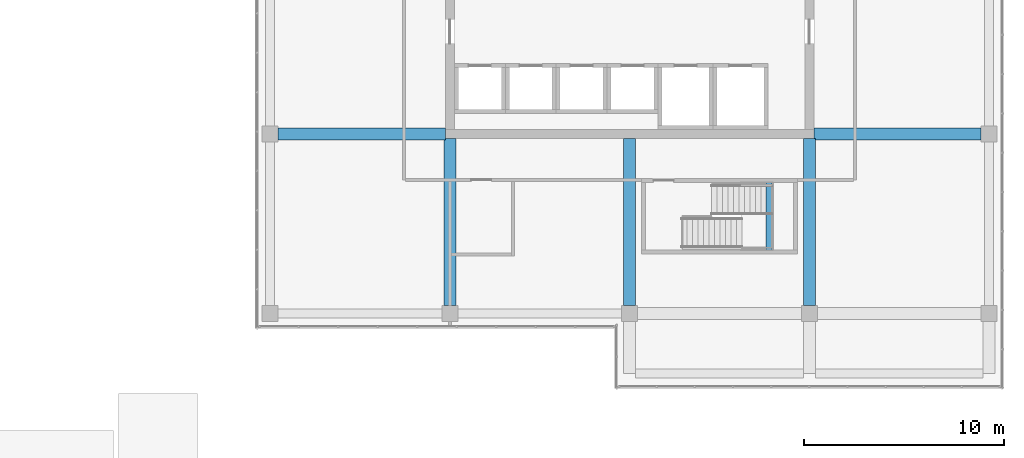
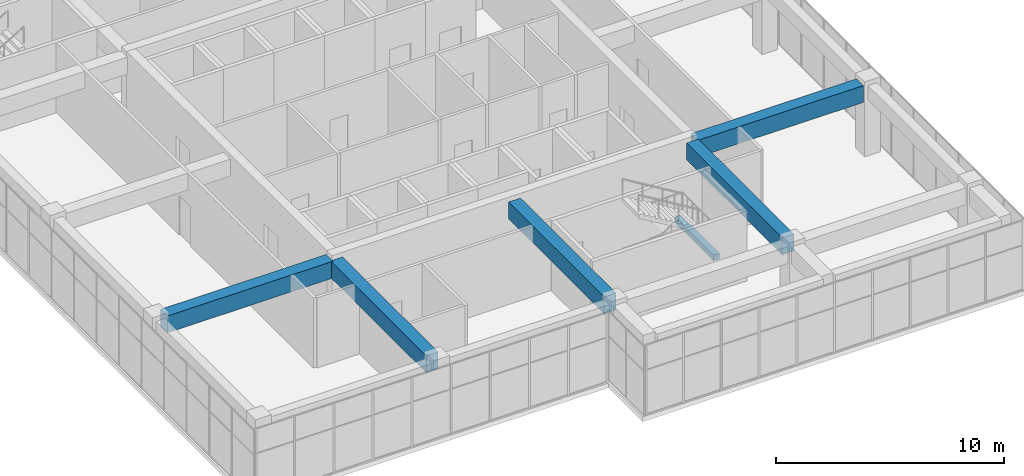
# One storey, part 26 of 55: 6 beams.
"""IFC4 building model written with IfcOpenShell, lengths in metres."""

from ifc_helpers import new_model, si_unit, direction, frame, origin, origin_2d, place, context, subcontext, project, spatial, rectangle, extrude, material, material_profile, profile_set, type_object, element, save


model = new_model("IFC4")

# Units and contexts
model_context = context("Model", 3, precision=1e-05, world=origin(), true_north=direction((0.0, 1.0)))
body_context = subcontext(model_context, "Body", "Model", "MODEL_VIEW")
ifc_project = project(units=[si_unit("LENGTHUNIT", "METRE"), si_unit("AREAUNIT", "SQUARE_METRE"), si_unit("VOLUMEUNIT", "CUBIC_METRE"), si_unit("PLANEANGLEUNIT", "RADIAN"), si_unit("MASSUNIT", "GRAM", prefix="KILO")], contexts=[model_context])

# Site, building, storey
site_placement = place(None, origin())
site = spatial("IfcSite", under=ifc_project, at=site_placement, CompositionType="ELEMENT")
building_placement = place(site_placement, origin())
building = spatial("IfcBuilding", under=site, at=building_placement, Name="Tuart Plaza Theatre", CompositionType="ELEMENT")
storey_placement = place(building_placement, frame((0.0, 0.0, 21.5)))
storey = spatial("IfcBuildingStorey", under=building, at=storey_placement, Name="L05", CompositionType="ELEMENT", Elevation=21.5)

# Beams
ifc_material_1 = material(Name="Concrete N40 (40 MPa)", Category="concrete")
ifc_material_profile_1 = material_profile(ifc_material_1, rectangle(XDim=0.300048828125, YDim=0.300048828125, at=origin_2d()), Name="BEAM 300x300 Concrete N40 (40 MPa)")
ifc_profile_set_1 = profile_set([ifc_material_profile_1], Name="Concrete N40 (40 MPa)")
beam_type_1 = type_object("IfcBeamType", Name="BEAM 300x300 Concrete N40 (40 MPa)", PredefinedType="BEAM", material=ifc_profile_set_1)
beam_placement = place(storey_placement, frame((138.97998046875, 59.175048828125, 1.64990234375), z_axis=(0.0, 1.0, 0.0), x_axis=(-1.0, 0.0, 0.0)))
element("IfcBeam", 1, at=beam_placement, inside=storey, type_object=beam_type_1, Name="RB501", PredefinedType="BEAM", context=body_context, shape_type="SweptSolid", body=[
    extrude(rectangle(XDim=0.300048828125, YDim=0.300048828125, at=origin_2d()), origin(), (0.0, 0.0, 1.0), 3.39990234375),
])
ifc_material_2 = material(Name="Concrete N40 (40 MPa)", Category="concrete")
ifc_material_profile_2 = material_profile(ifc_material_2, rectangle(XDim=0.60009765625, YDim=0.89990234375, at=origin_2d()), Name="BEAM 600x900 Concrete N40 (40 MPa)")
ifc_profile_set_2 = profile_set([ifc_material_profile_2], Name="Concrete N40 (40 MPa)")
beam_type_2 = type_object("IfcBeamType", Name="BEAM 600x900 Concrete N40 (40 MPa)", PredefinedType="BEAM", material=ifc_profile_set_2)
for number, where, z_axis, x_axis, name in (
    (2, (114.39990234375, 65.0, 3.300048828125), (1.0, 0.0, 0.0), (0.0, 1.0, 0.0), "RB210"),
    (3, (123.0, 56.39990234375, 3.300048828125), (0.0, 1.0, 0.0), (-1.0, 0.0, 0.0), "RB216"),
    (4, (132.0, 56.39990234375, 3.300048828125), (0.0, 1.0, 0.0), (-1.0, 0.0, 0.0), "RB222"),
    (5, (141.0, 56.39990234375, 3.300048828125), (0.0, 1.0, 0.0), (-1.0, 0.0, 0.0), "RB230"),
    (6, (141.22509765625, 65.0, 3.300048828125), (1.0, 0.0, 0.0), (0.0, 1.0, 0.0), "RB234"),
):
    element("IfcBeam", number, at=place(storey_placement, frame(where, z_axis=z_axis, x_axis=x_axis)), inside=storey, type_object=beam_type_2, Name=name, PredefinedType="BEAM", context=body_context, shape_type="SweptSolid", body=[
        extrude(rectangle(XDim=0.60009765625, YDim=0.89990234375, at=origin_2d()), origin(), (0.0, 0.0, 1.0), 8.375),
    ])

save(model, "model.ifc")
